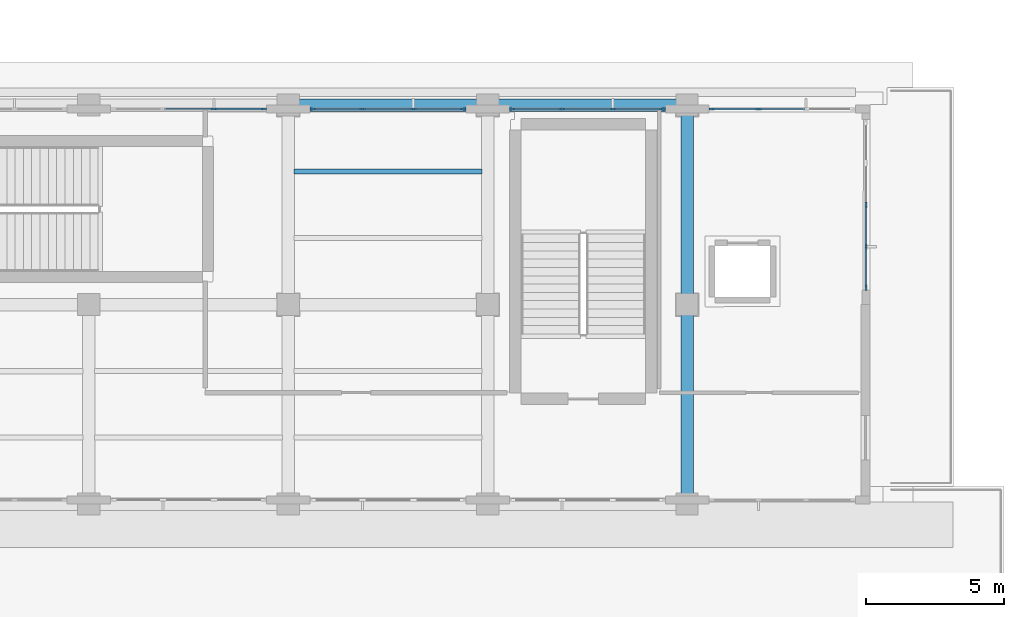
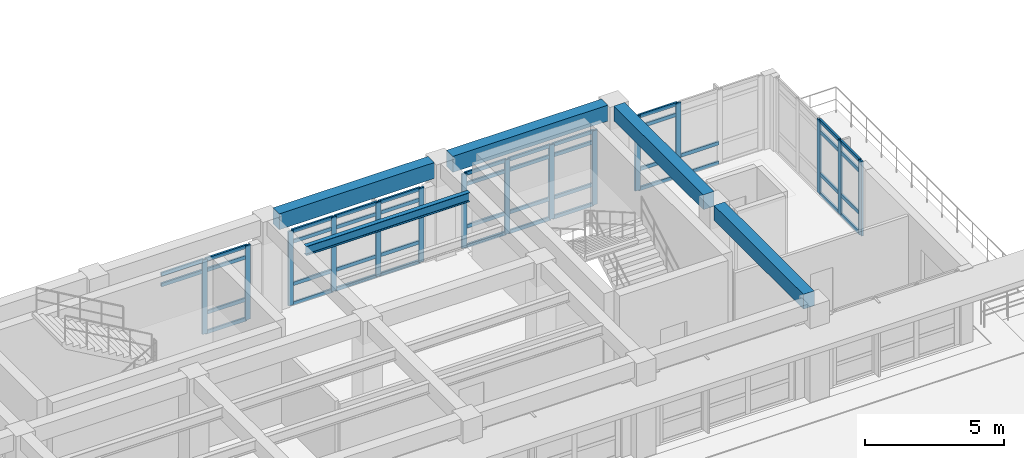
# One storey, part 18 of 67: 59 members, 5 beams, 5 elements without a shape of their own.
"""IFC4 building model written with IfcOpenShell, lengths in metres."""

from ifc_helpers import new_model, si_unit, direction, frame, origin, origin_2d, place, context, subcontext, project, spatial, rectangle, i_section, extrude, material, layer, layer_set, material_profile, profile_set, type_object, element, aggregate, save


model = new_model("IFC4")

# Units and contexts
model_context = context("Model", 3, precision=1e-05, world=origin(), true_north=direction((0.0, 1.0)))
body_context = subcontext(model_context, "Body", "Model", "MODEL_VIEW")
ifc_project = project(units=[si_unit("LENGTHUNIT", "METRE"), si_unit("AREAUNIT", "SQUARE_METRE"), si_unit("VOLUMEUNIT", "CUBIC_METRE"), si_unit("PLANEANGLEUNIT", "RADIAN"), si_unit("MASSUNIT", "GRAM", prefix="KILO")], contexts=[model_context])

# Site, building, storey
site_placement = place(None, origin())
site = spatial("IfcSite", under=ifc_project, at=site_placement, CompositionType="ELEMENT")
building_placement = place(site_placement, origin())
building = spatial("IfcBuilding", under=site, at=building_placement, Name="Solenvale Faculty of Natural Sciences", CompositionType="ELEMENT")
storey_placement = place(building_placement, frame((0.0, 0.0, 13.5)))
storey = spatial("IfcBuildingStorey", under=building, at=storey_placement, Name="L03", CompositionType="ELEMENT", Elevation=13.5)

# Beams
ifc_material_1 = material(Name="Concrete 40 MPa", Category="concrete")
ifc_material_profile_1 = material_profile(ifc_material_1, rectangle(XDim=0.449951171875, YDim=0.64990234375, at=origin_2d()), Name="RC-BM-450x650")
ifc_profile_set_1 = profile_set([ifc_material_profile_1], Name="Concrete 40 MPa")
beam_type_1 = type_object("IfcBeamType", Name="BM-RC-450x650", PredefinedType="BEAM", material=ifc_profile_set_1)
for number, where, z_axis, x_axis, name in (
    (1, (151.199951171875, 43.580078125, 3.89501953125), (0.0, 1.0, 0.0), (-1.0, 0.0, 0.0), "L03 Y-Girder X151.2 (43.2..50.4)"),
    (2, (151.199951171875, 50.780029296875, 3.89501953125), (0.0, 1.0, 0.0), (-1.0, 0.0, 0.0), "L03 Y-Girder X151.2 (50.4..57.6)"),
):
    element("IfcBeam", number, at=place(storey_placement, frame(where, z_axis=z_axis, x_axis=x_axis)), inside=storey, type_object=beam_type_1, Name=name, PredefinedType="BEAM", context=body_context, shape_type="SweptSolid", body=[
        extrude(rectangle(XDim=0.449951171875, YDim=0.64990234375, at=origin_2d()), origin(), (0.0, 0.0, 1.0), 6.43994140625),
    ])
ifc_material_profile_2 = material_profile(ifc_material_1, rectangle(XDim=0.449951171875, YDim=0.699951171875, at=origin_2d()), Name="RC-BM-450x700")
ifc_profile_set_2 = profile_set([ifc_material_profile_2], Name="Concrete 40 MPa")
beam_type_2 = type_object("IfcBeamType", Name="BM-RC-450x700", PredefinedType="BEAM", material=ifc_profile_set_2)
for number, where, z_axis, x_axis, name in (
    (3, (137.179931640625, 57.60009765625, 3.8701171875), (1.0, 0.0, 0.0), (0.0, 1.0, 0.0), "L03 X-Girder Y57.6 (136.8..144.0)"),
    (4, (144.3798828125, 57.60009765625, 3.8701171875), (1.0, 0.0, 0.0), (0.0, 1.0, 0.0), "L03 X-Girder Y57.6 (144.0..151.2)"),
):
    element("IfcBeam", number, at=place(storey_placement, frame(where, z_axis=z_axis, x_axis=x_axis)), inside=storey, type_object=beam_type_2, Name=name, PredefinedType="BEAM", context=body_context, shape_type="SweptSolid", body=[
        extrude(rectangle(XDim=0.449951171875, YDim=0.699951171875, at=origin_2d()), origin(), (0.0, 0.0, 1.0), 6.440185546875),
    ])
ifc_material_2 = material(Name="Steel S355", Category="steel")
ifc_material_profile_3 = material_profile(ifc_material_2, i_section(OverallWidth=0.178955078125, OverallDepth=0.409912109375, WebThickness=0.0087890625, FlangeThickness=0.014404296875, FilletRadius=0.01611328125, at=origin_2d()), Name="W410x67")
ifc_profile_set_3 = profile_set([ifc_material_profile_3], Name="Steel S355")
beam_type_3 = type_object("IfcBeamType", Name="BM-STL-W410x67", PredefinedType="JOIST", material=ifc_profile_set_3)
beam_placement = place(storey_placement, frame((137.0048828125, 55.199951171875, 4.014892578125), z_axis=(1.0, 0.0, 0.0), x_axis=(0.0, 1.0, 0.0)))
element("IfcBeam", 5, at=beam_placement, inside=storey, type_object=beam_type_3, Name="L03 Composite Floor Joist (20,8).2", PredefinedType="JOIST", context=body_context, shape_type="SweptSolid", body=[
    extrude(i_section(OverallWidth=0.178955078125, OverallDepth=0.409912109375, WebThickness=0.0087890625, FlangeThickness=0.014404296875, FilletRadius=0.01611328125, at=origin_2d()), origin(), (0.0, 0.0, 1.0), 6.7900390625),
])

# Curtain wall, members
ifc_material_3 = material(Name="Anodised bronze aluminium", Category="aluminium")
ifc_layer = layer(ifc_material_3, 0.199951171875)
ifc_layer_set = layer_set([ifc_layer], Name="Anodised bronze aluminium")
curtain_wall_type = type_object("IfcCurtainWallType", Name="CW-COM-FIN", PredefinedType="USERDEFINED", material=ifc_layer_set)
curtain_wall_1_placement = place(storey_placement, origin())
curtain_wall_1 = element("IfcCurtainWall", 6, at=curtain_wall_1_placement, inside=storey, type_object=curtain_wall_type, Name="L03 Curtain Wall CW-L03-P2-E2-B2", ObjectType="UNITISED CURTAIN WALL", PredefinedType="USERDEFINED")
ifc_material_profile_4 = material_profile(ifc_material_3, rectangle(XDim=0.074951171875, YDim=0.2099609375, at=origin_2d()), Name="ALU-MUL-75x210")
ifc_profile_set_4 = profile_set([ifc_material_profile_4], Name="Anodised bronze aluminium")
member_type_1 = type_object("IfcMemberType", Name="CWM-ALU-75x210", PredefinedType="MULLION", material=ifc_profile_set_4)
member_1_placement = place(storey_placement, frame((157.657470703125, 51.017578125, 0.0), z_axis=(0.0, 0.0, 1.0), x_axis=(-1.0, 0.0, 0.0)))
member_1 = element("IfcMember", 7, at=member_1_placement, type_object=member_type_1, Name="CW-03 mullion 1", PredefinedType="MULLION", context=body_context, shape_type="SweptSolid", body=[
    extrude(rectangle(XDim=0.074951171875, YDim=0.2099609375, at=origin_2d()), origin(), (0.0, 0.0, 1.0), 3.260009765625),
])
member_2_placement = place(storey_placement, frame((157.657470703125, 52.489990234375, 0.0), z_axis=(0.0, 0.0, 1.0), x_axis=(-1.0, 0.0, 0.0)))
member_2 = element("IfcMember", 8, at=member_2_placement, type_object=member_type_1, Name="CW-03 mullion 2", PredefinedType="MULLION", context=body_context, shape_type="SweptSolid", body=[
    extrude(rectangle(XDim=0.074951171875, YDim=0.2099609375, at=origin_2d()), origin(), (0.0, 0.0, 1.0), 3.260009765625),
])
member_3_placement = place(storey_placement, frame((157.657470703125, 54.0, 0.0), z_axis=(0.0, 0.0, 1.0), x_axis=(-1.0, 0.0, 0.0)))
member_3 = element("IfcMember", 9, at=member_3_placement, type_object=member_type_1, Name="CW-03 mullion 3", PredefinedType="MULLION", context=body_context, shape_type="SweptSolid", body=[
    extrude(rectangle(XDim=0.074951171875, YDim=0.2099609375, at=origin_2d()), origin(), (0.0, 0.0, 1.0), 3.260009765625),
])

curtain_wall_2_placement = place(storey_placement, origin())
curtain_wall_2 = element("IfcCurtainWall", 10, at=curtain_wall_2_placement, inside=storey, type_object=curtain_wall_type, Name="L03 Curtain Wall CW-L03-P2-E3-B1", ObjectType="UNITISED CURTAIN WALL", PredefinedType="USERDEFINED")
member_4_placement = place(storey_placement, frame((153.7734375, 57.45751953125, 0.0), z_axis=(0.0, 0.0, 1.0), x_axis=(0.0, -1.0, 0.0)))
member_4 = element("IfcMember", 11, at=member_4_placement, type_object=member_type_1, Name="CW-03 mullion 3", PredefinedType="MULLION", context=body_context, shape_type="SweptSolid", body=[
    extrude(rectangle(XDim=0.074951171875, YDim=0.2099609375, at=origin_2d()), origin(), (0.0, 0.0, 1.0), 3.260009765625),
])
member_5_placement = place(storey_placement, frame((152.08740234375, 57.45751953125, 0.0), z_axis=(0.0, 0.0, 1.0), x_axis=(0.0, -1.0, 0.0)))
member_5 = element("IfcMember", 12, at=member_5_placement, type_object=member_type_1, Name="CW-03 mullion 4", PredefinedType="MULLION", context=body_context, shape_type="SweptSolid", body=[
    extrude(rectangle(XDim=0.074951171875, YDim=0.2099609375, at=origin_2d()), origin(), (0.0, 0.0, 1.0), 3.260009765625),
])

curtain_wall_3_placement = place(storey_placement, origin())
curtain_wall_3 = element("IfcCurtainWall", 13, at=curtain_wall_3_placement, inside=storey, type_object=curtain_wall_type, Name="L03 Curtain Wall CW-L03-P2-E3-B2", ObjectType="UNITISED CURTAIN WALL", PredefinedType="USERDEFINED")
member_6_placement = place(storey_placement, frame((150.3125, 57.45751953125, 0.0), z_axis=(0.0, 0.0, 1.0), x_axis=(0.0, -1.0, 0.0)))
member_6 = element("IfcMember", 14, at=member_6_placement, type_object=member_type_1, Name="CW-03 mullion 1", PredefinedType="MULLION", context=body_context, shape_type="SweptSolid", body=[
    extrude(rectangle(XDim=0.074951171875, YDim=0.2099609375, at=origin_2d()), origin(), (0.0, 0.0, 1.0), 3.260009765625),
])
member_7_placement = place(storey_placement, frame((148.5166015625, 57.45751953125, 0.0), z_axis=(0.0, 0.0, 1.0), x_axis=(0.0, -1.0, 0.0)))
member_7 = element("IfcMember", 15, at=member_7_placement, type_object=member_type_1, Name="CW-03 mullion 2", PredefinedType="MULLION", context=body_context, shape_type="SweptSolid", body=[
    extrude(rectangle(XDim=0.074951171875, YDim=0.2099609375, at=origin_2d()), origin(), (0.0, 0.0, 1.0), 3.260009765625),
])
member_8_placement = place(storey_placement, frame((146.683349609375, 57.45751953125, 0.0), z_axis=(0.0, 0.0, 1.0), x_axis=(0.0, -1.0, 0.0)))
member_8 = element("IfcMember", 16, at=member_8_placement, type_object=member_type_1, Name="CW-03 mullion 3", PredefinedType="MULLION", context=body_context, shape_type="SweptSolid", body=[
    extrude(rectangle(XDim=0.074951171875, YDim=0.2099609375, at=origin_2d()), origin(), (0.0, 0.0, 1.0), 3.260009765625),
])
member_9_placement = place(storey_placement, frame((144.887451171875, 57.45751953125, 0.0), z_axis=(0.0, 0.0, 1.0), x_axis=(0.0, -1.0, 0.0)))
member_9 = element("IfcMember", 17, at=member_9_placement, type_object=member_type_1, Name="CW-03 mullion 4", PredefinedType="MULLION", context=body_context, shape_type="SweptSolid", body=[
    extrude(rectangle(XDim=0.074951171875, YDim=0.2099609375, at=origin_2d()), origin(), (0.0, 0.0, 1.0), 3.260009765625),
])

curtain_wall_4_placement = place(storey_placement, origin())
curtain_wall_4 = element("IfcCurtainWall", 18, at=curtain_wall_4_placement, inside=storey, type_object=curtain_wall_type, Name="L03 Curtain Wall CW-L03-P2-E3-B3", ObjectType="UNITISED CURTAIN WALL", PredefinedType="USERDEFINED")
member_10_placement = place(storey_placement, frame((143.112548828125, 57.45751953125, 0.0), z_axis=(0.0, 0.0, 1.0), x_axis=(0.0, -1.0, 0.0)))
member_10 = element("IfcMember", 19, at=member_10_placement, type_object=member_type_1, Name="CW-03 mullion 1", PredefinedType="MULLION", context=body_context, shape_type="SweptSolid", body=[
    extrude(rectangle(XDim=0.074951171875, YDim=0.2099609375, at=origin_2d()), origin(), (0.0, 0.0, 1.0), 3.260009765625),
])
member_11_placement = place(storey_placement, frame((141.316650390625, 57.45751953125, 0.0), z_axis=(0.0, 0.0, 1.0), x_axis=(0.0, -1.0, 0.0)))
member_11 = element("IfcMember", 20, at=member_11_placement, type_object=member_type_1, Name="CW-03 mullion 2", PredefinedType="MULLION", context=body_context, shape_type="SweptSolid", body=[
    extrude(rectangle(XDim=0.074951171875, YDim=0.2099609375, at=origin_2d()), origin(), (0.0, 0.0, 1.0), 3.260009765625),
])
member_12_placement = place(storey_placement, frame((139.4833984375, 57.45751953125, 0.0), z_axis=(0.0, 0.0, 1.0), x_axis=(0.0, -1.0, 0.0)))
member_12 = element("IfcMember", 21, at=member_12_placement, type_object=member_type_1, Name="CW-03 mullion 3", PredefinedType="MULLION", context=body_context, shape_type="SweptSolid", body=[
    extrude(rectangle(XDim=0.074951171875, YDim=0.2099609375, at=origin_2d()), origin(), (0.0, 0.0, 1.0), 3.260009765625),
])
member_13_placement = place(storey_placement, frame((137.6875, 57.45751953125, 0.0), z_axis=(0.0, 0.0, 1.0), x_axis=(0.0, -1.0, 0.0)))
member_13 = element("IfcMember", 22, at=member_13_placement, type_object=member_type_1, Name="CW-03 mullion 4", PredefinedType="MULLION", context=body_context, shape_type="SweptSolid", body=[
    extrude(rectangle(XDim=0.074951171875, YDim=0.2099609375, at=origin_2d()), origin(), (0.0, 0.0, 1.0), 3.260009765625),
])

curtain_wall_5_placement = place(storey_placement, origin())
curtain_wall_5 = element("IfcCurtainWall", 23, at=curtain_wall_5_placement, inside=storey, type_object=curtain_wall_type, Name="L03 Curtain Wall CW-L03-P2-E3-B4", ObjectType="UNITISED CURTAIN WALL", PredefinedType="USERDEFINED")
member_14_placement = place(storey_placement, frame((135.91259765625, 57.45751953125, 0.0), z_axis=(0.0, 0.0, 1.0), x_axis=(0.0, -1.0, 0.0)))
member_14 = element("IfcMember", 24, at=member_14_placement, type_object=member_type_1, Name="CW-03 mullion 1", PredefinedType="MULLION", context=body_context, shape_type="SweptSolid", body=[
    extrude(rectangle(XDim=0.074951171875, YDim=0.2099609375, at=origin_2d()), origin(), (0.0, 0.0, 1.0), 3.260009765625),
])
member_15_placement = place(storey_placement, frame((134.11669921875, 57.45751953125, 0.0), z_axis=(0.0, 0.0, 1.0), x_axis=(0.0, -1.0, 0.0)))
member_15 = element("IfcMember", 25, at=member_15_placement, type_object=member_type_1, Name="CW-03 mullion 2", PredefinedType="MULLION", context=body_context, shape_type="SweptSolid", body=[
    extrude(rectangle(XDim=0.074951171875, YDim=0.2099609375, at=origin_2d()), origin(), (0.0, 0.0, 1.0), 3.260009765625),
])

# Member
ifc_material_profile_5 = material_profile(ifc_material_3, rectangle(XDim=0.074951171875, YDim=0.155029296875, at=origin_2d()), Name="ALU-TRN-75x155")
ifc_profile_set_5 = profile_set([ifc_material_profile_5], Name="Anodised bronze aluminium")
member_type_2 = type_object("IfcMemberType", Name="CWT-ALU-75x155", PredefinedType="USERDEFINED", material=ifc_profile_set_5)
member_16_placement = place(storey_placement, frame((157.657470703125, 51.054931640625, 0.03759765625), z_axis=(0.0, 1.0, 0.0), x_axis=(-1.0, 0.0, 0.0)))
member_16 = element("IfcMember", 26, at=member_16_placement, type_object=member_type_2, Name="CW-03 transom 1.1", ObjectType="TRANSOM", PredefinedType="USERDEFINED", context=body_context, shape_type="SweptSolid", body=[
    extrude(rectangle(XDim=0.074951171875, YDim=0.155029296875, at=origin_2d()), origin(), (0.0, 0.0, 1.0), 1.3974609375),
])

member_17_placement = place(storey_placement, frame((157.657470703125, 51.054931640625, 0.89990234375), z_axis=(0.0, 1.0, 0.0), x_axis=(-1.0, 0.0, 0.0)))
member_17 = element("IfcMember", 27, at=member_17_placement, type_object=member_type_2, Name="CW-03 transom 1.2", ObjectType="TRANSOM", PredefinedType="USERDEFINED", context=body_context, shape_type="SweptSolid", body=[
    extrude(rectangle(XDim=0.074951171875, YDim=0.155029296875, at=origin_2d()), origin(), (0.0, 0.0, 1.0), 1.3974609375),
])

member_18_placement = place(storey_placement, frame((157.657470703125, 51.054931640625, 2.760009765625), z_axis=(0.0, 1.0, 0.0), x_axis=(-1.0, 0.0, 0.0)))
member_18 = element("IfcMember", 28, at=member_18_placement, type_object=member_type_2, Name="CW-03 transom 1.3", ObjectType="TRANSOM", PredefinedType="USERDEFINED", context=body_context, shape_type="SweptSolid", body=[
    extrude(rectangle(XDim=0.074951171875, YDim=0.155029296875, at=origin_2d()), origin(), (0.0, 0.0, 1.0), 1.3974609375),
])

member_19_placement = place(storey_placement, frame((157.657470703125, 51.054931640625, 3.222412109375), z_axis=(0.0, 1.0, 0.0), x_axis=(-1.0, 0.0, 0.0)))
member_19 = element("IfcMember", 29, at=member_19_placement, type_object=member_type_2, Name="CW-03 transom 1.4", ObjectType="TRANSOM", PredefinedType="USERDEFINED", context=body_context, shape_type="SweptSolid", body=[
    extrude(rectangle(XDim=0.074951171875, YDim=0.155029296875, at=origin_2d()), origin(), (0.0, 0.0, 1.0), 1.3974609375),
])

member_20_placement = place(storey_placement, frame((157.657470703125, 52.527587890625, 0.03759765625), z_axis=(0.0, 1.0, 0.0), x_axis=(-1.0, 0.0, 0.0)))
member_20 = element("IfcMember", 30, at=member_20_placement, type_object=member_type_2, Name="CW-03 transom 2.1", ObjectType="TRANSOM", PredefinedType="USERDEFINED", context=body_context, shape_type="SweptSolid", body=[
    extrude(rectangle(XDim=0.074951171875, YDim=0.155029296875, at=origin_2d()), origin(), (0.0, 0.0, 1.0), 1.434814453125),
])

member_21_placement = place(storey_placement, frame((157.657470703125, 52.527587890625, 0.89990234375), z_axis=(0.0, 1.0, 0.0), x_axis=(-1.0, 0.0, 0.0)))
member_21 = element("IfcMember", 31, at=member_21_placement, type_object=member_type_2, Name="CW-03 transom 2.2", ObjectType="TRANSOM", PredefinedType="USERDEFINED", context=body_context, shape_type="SweptSolid", body=[
    extrude(rectangle(XDim=0.074951171875, YDim=0.155029296875, at=origin_2d()), origin(), (0.0, 0.0, 1.0), 1.434814453125),
])

member_22_placement = place(storey_placement, frame((157.657470703125, 52.527587890625, 2.760009765625), z_axis=(0.0, 1.0, 0.0), x_axis=(-1.0, 0.0, 0.0)))
member_22 = element("IfcMember", 32, at=member_22_placement, type_object=member_type_2, Name="CW-03 transom 2.3", ObjectType="TRANSOM", PredefinedType="USERDEFINED", context=body_context, shape_type="SweptSolid", body=[
    extrude(rectangle(XDim=0.074951171875, YDim=0.155029296875, at=origin_2d()), origin(), (0.0, 0.0, 1.0), 1.434814453125),
])

member_23_placement = place(storey_placement, frame((157.657470703125, 52.527587890625, 3.222412109375), z_axis=(0.0, 1.0, 0.0), x_axis=(-1.0, 0.0, 0.0)))
member_23 = element("IfcMember", 33, at=member_23_placement, type_object=member_type_2, Name="CW-03 transom 2.4", ObjectType="TRANSOM", PredefinedType="USERDEFINED", context=body_context, shape_type="SweptSolid", body=[
    extrude(rectangle(XDim=0.074951171875, YDim=0.155029296875, at=origin_2d()), origin(), (0.0, 0.0, 1.0), 1.434814453125),
])

aggregate(curtain_wall_1, [member_1, member_2, member_3, member_16, member_17, member_18, member_19, member_20, member_21, member_22, member_23])

member_24_placement = place(storey_placement, frame((155.459228515625, 57.45751953125, 0.03759765625), z_axis=(-1.0, 0.0, 0.0), x_axis=(0.0, -1.0, 0.0)))
member_24 = element("IfcMember", 34, at=member_24_placement, type_object=member_type_2, Name="CW-03 transom 2.1", ObjectType="TRANSOM", PredefinedType="USERDEFINED", context=body_context, shape_type="SweptSolid", body=[
    extrude(rectangle(XDim=0.074951171875, YDim=0.155029296875, at=origin_2d()), origin(), (0.0, 0.0, 1.0), 1.6484375),
])

member_25_placement = place(storey_placement, frame((155.459228515625, 57.45751953125, 0.89990234375), z_axis=(-1.0, 0.0, 0.0), x_axis=(0.0, -1.0, 0.0)))
member_25 = element("IfcMember", 35, at=member_25_placement, type_object=member_type_2, Name="CW-03 transom 2.2", ObjectType="TRANSOM", PredefinedType="USERDEFINED", context=body_context, shape_type="SweptSolid", body=[
    extrude(rectangle(XDim=0.074951171875, YDim=0.155029296875, at=origin_2d()), origin(), (0.0, 0.0, 1.0), 1.6484375),
])

member_26_placement = place(storey_placement, frame((153.73583984375, 57.45751953125, 0.03759765625), z_axis=(-1.0, 0.0, 0.0), x_axis=(0.0, -1.0, 0.0)))
member_26 = element("IfcMember", 36, at=member_26_placement, type_object=member_type_2, Name="CW-03 transom 3.1", ObjectType="TRANSOM", PredefinedType="USERDEFINED", context=body_context, shape_type="SweptSolid", body=[
    extrude(rectangle(XDim=0.074951171875, YDim=0.155029296875, at=origin_2d()), origin(), (0.0, 0.0, 1.0), 1.61083984375),
])

member_27_placement = place(storey_placement, frame((153.73583984375, 57.45751953125, 0.89990234375), z_axis=(-1.0, 0.0, 0.0), x_axis=(0.0, -1.0, 0.0)))
member_27 = element("IfcMember", 37, at=member_27_placement, type_object=member_type_2, Name="CW-03 transom 3.2", ObjectType="TRANSOM", PredefinedType="USERDEFINED", context=body_context, shape_type="SweptSolid", body=[
    extrude(rectangle(XDim=0.074951171875, YDim=0.155029296875, at=origin_2d()), origin(), (0.0, 0.0, 1.0), 1.61083984375),
])

member_28_placement = place(storey_placement, frame((153.73583984375, 57.45751953125, 2.760009765625), z_axis=(-1.0, 0.0, 0.0), x_axis=(0.0, -1.0, 0.0)))
member_28 = element("IfcMember", 38, at=member_28_placement, type_object=member_type_2, Name="CW-03 transom 3.3", ObjectType="TRANSOM", PredefinedType="USERDEFINED", context=body_context, shape_type="SweptSolid", body=[
    extrude(rectangle(XDim=0.074951171875, YDim=0.155029296875, at=origin_2d()), origin(), (0.0, 0.0, 1.0), 1.61083984375),
])

member_29_placement = place(storey_placement, frame((153.73583984375, 57.45751953125, 3.222412109375), z_axis=(-1.0, 0.0, 0.0), x_axis=(0.0, -1.0, 0.0)))
member_29 = element("IfcMember", 39, at=member_29_placement, type_object=member_type_2, Name="CW-03 transom 3.4", ObjectType="TRANSOM", PredefinedType="USERDEFINED", context=body_context, shape_type="SweptSolid", body=[
    extrude(rectangle(XDim=0.074951171875, YDim=0.155029296875, at=origin_2d()), origin(), (0.0, 0.0, 1.0), 1.61083984375),
])

aggregate(curtain_wall_2, [member_4, member_5, member_24, member_25, member_26, member_27, member_28, member_29])

member_30_placement = place(storey_placement, frame((150.27490234375, 57.45751953125, 0.03759765625), z_axis=(-1.0, 0.0, 0.0), x_axis=(0.0, -1.0, 0.0)))
member_30 = element("IfcMember", 40, at=member_30_placement, type_object=member_type_2, Name="CW-03 transom 1.1", ObjectType="TRANSOM", PredefinedType="USERDEFINED", context=body_context, shape_type="SweptSolid", body=[
    extrude(rectangle(XDim=0.074951171875, YDim=0.155029296875, at=origin_2d()), origin(), (0.0, 0.0, 1.0), 1.720703125),
])

member_31_placement = place(storey_placement, frame((150.27490234375, 57.45751953125, 0.89990234375), z_axis=(-1.0, 0.0, 0.0), x_axis=(0.0, -1.0, 0.0)))
member_31 = element("IfcMember", 41, at=member_31_placement, type_object=member_type_2, Name="CW-03 transom 1.2", ObjectType="TRANSOM", PredefinedType="USERDEFINED", context=body_context, shape_type="SweptSolid", body=[
    extrude(rectangle(XDim=0.074951171875, YDim=0.155029296875, at=origin_2d()), origin(), (0.0, 0.0, 1.0), 1.720703125),
])

member_32_placement = place(storey_placement, frame((150.27490234375, 57.45751953125, 2.760009765625), z_axis=(-1.0, 0.0, 0.0), x_axis=(0.0, -1.0, 0.0)))
member_32 = element("IfcMember", 42, at=member_32_placement, type_object=member_type_2, Name="CW-03 transom 1.3", ObjectType="TRANSOM", PredefinedType="USERDEFINED", context=body_context, shape_type="SweptSolid", body=[
    extrude(rectangle(XDim=0.074951171875, YDim=0.155029296875, at=origin_2d()), origin(), (0.0, 0.0, 1.0), 1.720703125),
])

member_33_placement = place(storey_placement, frame((150.27490234375, 57.45751953125, 3.222412109375), z_axis=(-1.0, 0.0, 0.0), x_axis=(0.0, -1.0, 0.0)))
member_33 = element("IfcMember", 43, at=member_33_placement, type_object=member_type_2, Name="CW-03 transom 1.4", ObjectType="TRANSOM", PredefinedType="USERDEFINED", context=body_context, shape_type="SweptSolid", body=[
    extrude(rectangle(XDim=0.074951171875, YDim=0.155029296875, at=origin_2d()), origin(), (0.0, 0.0, 1.0), 1.720703125),
])

member_34_placement = place(storey_placement, frame((148.479248046875, 57.45751953125, 0.03759765625), z_axis=(-1.0, 0.0, 0.0), x_axis=(0.0, -1.0, 0.0)))
member_34 = element("IfcMember", 44, at=member_34_placement, type_object=member_type_2, Name="CW-03 transom 2.1", ObjectType="TRANSOM", PredefinedType="USERDEFINED", context=body_context, shape_type="SweptSolid", body=[
    extrude(rectangle(XDim=0.074951171875, YDim=0.155029296875, at=origin_2d()), origin(), (0.0, 0.0, 1.0), 1.75830078125),
])

member_35_placement = place(storey_placement, frame((148.479248046875, 57.45751953125, 0.89990234375), z_axis=(-1.0, 0.0, 0.0), x_axis=(0.0, -1.0, 0.0)))
member_35 = element("IfcMember", 45, at=member_35_placement, type_object=member_type_2, Name="CW-03 transom 2.2", ObjectType="TRANSOM", PredefinedType="USERDEFINED", context=body_context, shape_type="SweptSolid", body=[
    extrude(rectangle(XDim=0.074951171875, YDim=0.155029296875, at=origin_2d()), origin(), (0.0, 0.0, 1.0), 1.75830078125),
])

member_36_placement = place(storey_placement, frame((148.479248046875, 57.45751953125, 2.760009765625), z_axis=(-1.0, 0.0, 0.0), x_axis=(0.0, -1.0, 0.0)))
member_36 = element("IfcMember", 46, at=member_36_placement, type_object=member_type_2, Name="CW-03 transom 2.3", ObjectType="TRANSOM", PredefinedType="USERDEFINED", context=body_context, shape_type="SweptSolid", body=[
    extrude(rectangle(XDim=0.074951171875, YDim=0.155029296875, at=origin_2d()), origin(), (0.0, 0.0, 1.0), 1.75830078125),
])

member_37_placement = place(storey_placement, frame((148.479248046875, 57.45751953125, 3.222412109375), z_axis=(-1.0, 0.0, 0.0), x_axis=(0.0, -1.0, 0.0)))
member_37 = element("IfcMember", 47, at=member_37_placement, type_object=member_type_2, Name="CW-03 transom 2.4", ObjectType="TRANSOM", PredefinedType="USERDEFINED", context=body_context, shape_type="SweptSolid", body=[
    extrude(rectangle(XDim=0.074951171875, YDim=0.155029296875, at=origin_2d()), origin(), (0.0, 0.0, 1.0), 1.75830078125),
])

member_38_placement = place(storey_placement, frame((146.645751953125, 57.45751953125, 0.03759765625), z_axis=(-1.0, 0.0, 0.0), x_axis=(0.0, -1.0, 0.0)))
member_38 = element("IfcMember", 48, at=member_38_placement, type_object=member_type_2, Name="CW-03 transom 3.1", ObjectType="TRANSOM", PredefinedType="USERDEFINED", context=body_context, shape_type="SweptSolid", body=[
    extrude(rectangle(XDim=0.074951171875, YDim=0.155029296875, at=origin_2d()), origin(), (0.0, 0.0, 1.0), 1.720703125),
])

member_39_placement = place(storey_placement, frame((146.645751953125, 57.45751953125, 0.89990234375), z_axis=(-1.0, 0.0, 0.0), x_axis=(0.0, -1.0, 0.0)))
member_39 = element("IfcMember", 49, at=member_39_placement, type_object=member_type_2, Name="CW-03 transom 3.2", ObjectType="TRANSOM", PredefinedType="USERDEFINED", context=body_context, shape_type="SweptSolid", body=[
    extrude(rectangle(XDim=0.074951171875, YDim=0.155029296875, at=origin_2d()), origin(), (0.0, 0.0, 1.0), 1.720703125),
])

member_40_placement = place(storey_placement, frame((146.645751953125, 57.45751953125, 2.760009765625), z_axis=(-1.0, 0.0, 0.0), x_axis=(0.0, -1.0, 0.0)))
member_40 = element("IfcMember", 50, at=member_40_placement, type_object=member_type_2, Name="CW-03 transom 3.3", ObjectType="TRANSOM", PredefinedType="USERDEFINED", context=body_context, shape_type="SweptSolid", body=[
    extrude(rectangle(XDim=0.074951171875, YDim=0.155029296875, at=origin_2d()), origin(), (0.0, 0.0, 1.0), 1.720703125),
])

member_41_placement = place(storey_placement, frame((146.645751953125, 57.45751953125, 3.222412109375), z_axis=(-1.0, 0.0, 0.0), x_axis=(0.0, -1.0, 0.0)))
member_41 = element("IfcMember", 51, at=member_41_placement, type_object=member_type_2, Name="CW-03 transom 3.4", ObjectType="TRANSOM", PredefinedType="USERDEFINED", context=body_context, shape_type="SweptSolid", body=[
    extrude(rectangle(XDim=0.074951171875, YDim=0.155029296875, at=origin_2d()), origin(), (0.0, 0.0, 1.0), 1.720703125),
])

aggregate(curtain_wall_3, [member_6, member_7, member_8, member_9, member_30, member_31, member_32, member_33, member_34, member_35, member_36, member_37, member_38, member_39, member_40, member_41])

member_42_placement = place(storey_placement, frame((143.074951171875, 57.45751953125, 0.03759765625), z_axis=(-1.0, 0.0, 0.0), x_axis=(0.0, -1.0, 0.0)))
member_42 = element("IfcMember", 52, at=member_42_placement, type_object=member_type_2, Name="CW-03 transom 1.1", ObjectType="TRANSOM", PredefinedType="USERDEFINED", context=body_context, shape_type="SweptSolid", body=[
    extrude(rectangle(XDim=0.074951171875, YDim=0.155029296875, at=origin_2d()), origin(), (0.0, 0.0, 1.0), 1.720703125),
])

member_43_placement = place(storey_placement, frame((143.074951171875, 57.45751953125, 0.89990234375), z_axis=(-1.0, 0.0, 0.0), x_axis=(0.0, -1.0, 0.0)))
member_43 = element("IfcMember", 53, at=member_43_placement, type_object=member_type_2, Name="CW-03 transom 1.2", ObjectType="TRANSOM", PredefinedType="USERDEFINED", context=body_context, shape_type="SweptSolid", body=[
    extrude(rectangle(XDim=0.074951171875, YDim=0.155029296875, at=origin_2d()), origin(), (0.0, 0.0, 1.0), 1.720703125),
])

member_44_placement = place(storey_placement, frame((143.074951171875, 57.45751953125, 2.760009765625), z_axis=(-1.0, 0.0, 0.0), x_axis=(0.0, -1.0, 0.0)))
member_44 = element("IfcMember", 54, at=member_44_placement, type_object=member_type_2, Name="CW-03 transom 1.3", ObjectType="TRANSOM", PredefinedType="USERDEFINED", context=body_context, shape_type="SweptSolid", body=[
    extrude(rectangle(XDim=0.074951171875, YDim=0.155029296875, at=origin_2d()), origin(), (0.0, 0.0, 1.0), 1.720703125),
])

member_45_placement = place(storey_placement, frame((143.074951171875, 57.45751953125, 3.222412109375), z_axis=(-1.0, 0.0, 0.0), x_axis=(0.0, -1.0, 0.0)))
member_45 = element("IfcMember", 55, at=member_45_placement, type_object=member_type_2, Name="CW-03 transom 1.4", ObjectType="TRANSOM", PredefinedType="USERDEFINED", context=body_context, shape_type="SweptSolid", body=[
    extrude(rectangle(XDim=0.074951171875, YDim=0.155029296875, at=origin_2d()), origin(), (0.0, 0.0, 1.0), 1.720703125),
])

member_46_placement = place(storey_placement, frame((141.279052734375, 57.45751953125, 0.03759765625), z_axis=(-1.0, 0.0, 0.0), x_axis=(0.0, -1.0, 0.0)))
member_46 = element("IfcMember", 56, at=member_46_placement, type_object=member_type_2, Name="CW-03 transom 2.1", ObjectType="TRANSOM", PredefinedType="USERDEFINED", context=body_context, shape_type="SweptSolid", body=[
    extrude(rectangle(XDim=0.074951171875, YDim=0.155029296875, at=origin_2d()), origin(), (0.0, 0.0, 1.0), 1.75830078125),
])

member_47_placement = place(storey_placement, frame((141.279052734375, 57.45751953125, 0.89990234375), z_axis=(-1.0, 0.0, 0.0), x_axis=(0.0, -1.0, 0.0)))
member_47 = element("IfcMember", 57, at=member_47_placement, type_object=member_type_2, Name="CW-03 transom 2.2", ObjectType="TRANSOM", PredefinedType="USERDEFINED", context=body_context, shape_type="SweptSolid", body=[
    extrude(rectangle(XDim=0.074951171875, YDim=0.155029296875, at=origin_2d()), origin(), (0.0, 0.0, 1.0), 1.75830078125),
])

member_48_placement = place(storey_placement, frame((141.279052734375, 57.45751953125, 2.760009765625), z_axis=(-1.0, 0.0, 0.0), x_axis=(0.0, -1.0, 0.0)))
member_48 = element("IfcMember", 58, at=member_48_placement, type_object=member_type_2, Name="CW-03 transom 2.3", ObjectType="TRANSOM", PredefinedType="USERDEFINED", context=body_context, shape_type="SweptSolid", body=[
    extrude(rectangle(XDim=0.074951171875, YDim=0.155029296875, at=origin_2d()), origin(), (0.0, 0.0, 1.0), 1.75830078125),
])

member_49_placement = place(storey_placement, frame((141.279052734375, 57.45751953125, 3.222412109375), z_axis=(-1.0, 0.0, 0.0), x_axis=(0.0, -1.0, 0.0)))
member_49 = element("IfcMember", 59, at=member_49_placement, type_object=member_type_2, Name="CW-03 transom 2.4", ObjectType="TRANSOM", PredefinedType="USERDEFINED", context=body_context, shape_type="SweptSolid", body=[
    extrude(rectangle(XDim=0.074951171875, YDim=0.155029296875, at=origin_2d()), origin(), (0.0, 0.0, 1.0), 1.75830078125),
])

member_50_placement = place(storey_placement, frame((139.44580078125, 57.45751953125, 0.03759765625), z_axis=(-1.0, 0.0, 0.0), x_axis=(0.0, -1.0, 0.0)))
member_50 = element("IfcMember", 60, at=member_50_placement, type_object=member_type_2, Name="CW-03 transom 3.1", ObjectType="TRANSOM", PredefinedType="USERDEFINED", context=body_context, shape_type="SweptSolid", body=[
    extrude(rectangle(XDim=0.074951171875, YDim=0.155029296875, at=origin_2d()), origin(), (0.0, 0.0, 1.0), 1.720703125),
])

member_51_placement = place(storey_placement, frame((139.44580078125, 57.45751953125, 0.89990234375), z_axis=(-1.0, 0.0, 0.0), x_axis=(0.0, -1.0, 0.0)))
member_51 = element("IfcMember", 61, at=member_51_placement, type_object=member_type_2, Name="CW-03 transom 3.2", ObjectType="TRANSOM", PredefinedType="USERDEFINED", context=body_context, shape_type="SweptSolid", body=[
    extrude(rectangle(XDim=0.074951171875, YDim=0.155029296875, at=origin_2d()), origin(), (0.0, 0.0, 1.0), 1.720703125),
])

member_52_placement = place(storey_placement, frame((139.44580078125, 57.45751953125, 2.760009765625), z_axis=(-1.0, 0.0, 0.0), x_axis=(0.0, -1.0, 0.0)))
member_52 = element("IfcMember", 62, at=member_52_placement, type_object=member_type_2, Name="CW-03 transom 3.3", ObjectType="TRANSOM", PredefinedType="USERDEFINED", context=body_context, shape_type="SweptSolid", body=[
    extrude(rectangle(XDim=0.074951171875, YDim=0.155029296875, at=origin_2d()), origin(), (0.0, 0.0, 1.0), 1.720703125),
])

member_53_placement = place(storey_placement, frame((139.44580078125, 57.45751953125, 3.222412109375), z_axis=(-1.0, 0.0, 0.0), x_axis=(0.0, -1.0, 0.0)))
member_53 = element("IfcMember", 63, at=member_53_placement, type_object=member_type_2, Name="CW-03 transom 3.4", ObjectType="TRANSOM", PredefinedType="USERDEFINED", context=body_context, shape_type="SweptSolid", body=[
    extrude(rectangle(XDim=0.074951171875, YDim=0.155029296875, at=origin_2d()), origin(), (0.0, 0.0, 1.0), 1.720703125),
])

aggregate(curtain_wall_4, [member_10, member_11, member_12, member_13, member_42, member_43, member_44, member_45, member_46, member_47, member_48, member_49, member_50, member_51, member_52, member_53])

member_54_placement = place(storey_placement, frame((135.875, 57.45751953125, 0.03759765625), z_axis=(-1.0, 0.0, 0.0), x_axis=(0.0, -1.0, 0.0)))
member_54 = element("IfcMember", 64, at=member_54_placement, type_object=member_type_2, Name="CW-03 transom 1.1", ObjectType="TRANSOM", PredefinedType="USERDEFINED", context=body_context, shape_type="SweptSolid", body=[
    extrude(rectangle(XDim=0.074951171875, YDim=0.155029296875, at=origin_2d()), origin(), (0.0, 0.0, 1.0), 1.720947265625),
])

member_55_placement = place(storey_placement, frame((135.875, 57.45751953125, 0.89990234375), z_axis=(-1.0, 0.0, 0.0), x_axis=(0.0, -1.0, 0.0)))
member_55 = element("IfcMember", 65, at=member_55_placement, type_object=member_type_2, Name="CW-03 transom 1.2", ObjectType="TRANSOM", PredefinedType="USERDEFINED", context=body_context, shape_type="SweptSolid", body=[
    extrude(rectangle(XDim=0.074951171875, YDim=0.155029296875, at=origin_2d()), origin(), (0.0, 0.0, 1.0), 1.720947265625),
])

member_56_placement = place(storey_placement, frame((135.875, 57.45751953125, 2.760009765625), z_axis=(-1.0, 0.0, 0.0), x_axis=(0.0, -1.0, 0.0)))
member_56 = element("IfcMember", 66, at=member_56_placement, type_object=member_type_2, Name="CW-03 transom 1.3", ObjectType="TRANSOM", PredefinedType="USERDEFINED", context=body_context, shape_type="SweptSolid", body=[
    extrude(rectangle(XDim=0.074951171875, YDim=0.155029296875, at=origin_2d()), origin(), (0.0, 0.0, 1.0), 1.720947265625),
])

member_57_placement = place(storey_placement, frame((135.875, 57.45751953125, 3.222412109375), z_axis=(-1.0, 0.0, 0.0), x_axis=(0.0, -1.0, 0.0)))
member_57 = element("IfcMember", 67, at=member_57_placement, type_object=member_type_2, Name="CW-03 transom 1.4", ObjectType="TRANSOM", PredefinedType="USERDEFINED", context=body_context, shape_type="SweptSolid", body=[
    extrude(rectangle(XDim=0.074951171875, YDim=0.155029296875, at=origin_2d()), origin(), (0.0, 0.0, 1.0), 1.720947265625),
])

member_58_placement = place(storey_placement, frame((134.0791015625, 57.45751953125, 2.760009765625), z_axis=(-1.0, 0.0, 0.0), x_axis=(0.0, -1.0, 0.0)))
member_58 = element("IfcMember", 68, at=member_58_placement, type_object=member_type_2, Name="CW-03 transom 2.3", ObjectType="TRANSOM", PredefinedType="USERDEFINED", context=body_context, shape_type="SweptSolid", body=[
    extrude(rectangle(XDim=0.074951171875, YDim=0.155029296875, at=origin_2d()), origin(), (0.0, 0.0, 1.0), 1.75830078125),
])

member_59_placement = place(storey_placement, frame((134.0791015625, 57.45751953125, 3.222412109375), z_axis=(-1.0, 0.0, 0.0), x_axis=(0.0, -1.0, 0.0)))
member_59 = element("IfcMember", 69, at=member_59_placement, type_object=member_type_2, Name="CW-03 transom 2.4", ObjectType="TRANSOM", PredefinedType="USERDEFINED", context=body_context, shape_type="SweptSolid", body=[
    extrude(rectangle(XDim=0.074951171875, YDim=0.155029296875, at=origin_2d()), origin(), (0.0, 0.0, 1.0), 1.75830078125),
])

aggregate(curtain_wall_5, [member_14, member_15, member_54, member_55, member_56, member_57, member_58, member_59])

save(model, "model.ifc")
